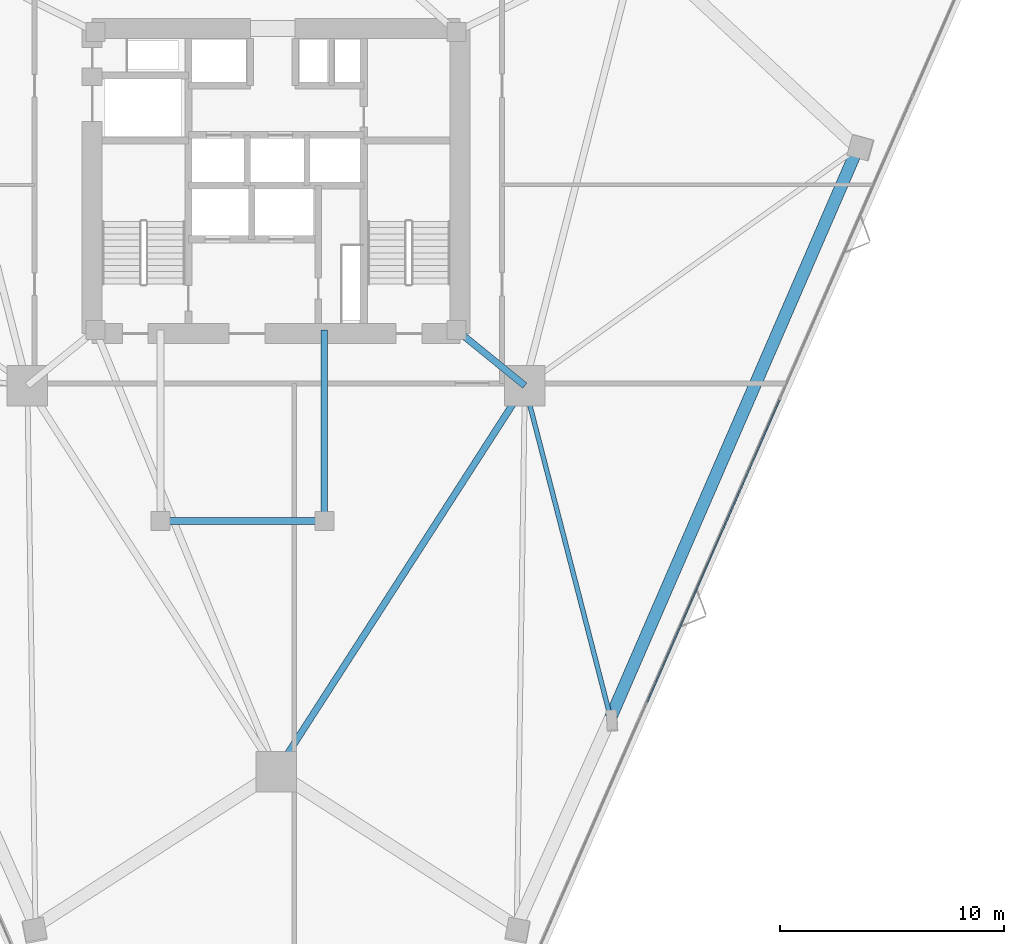
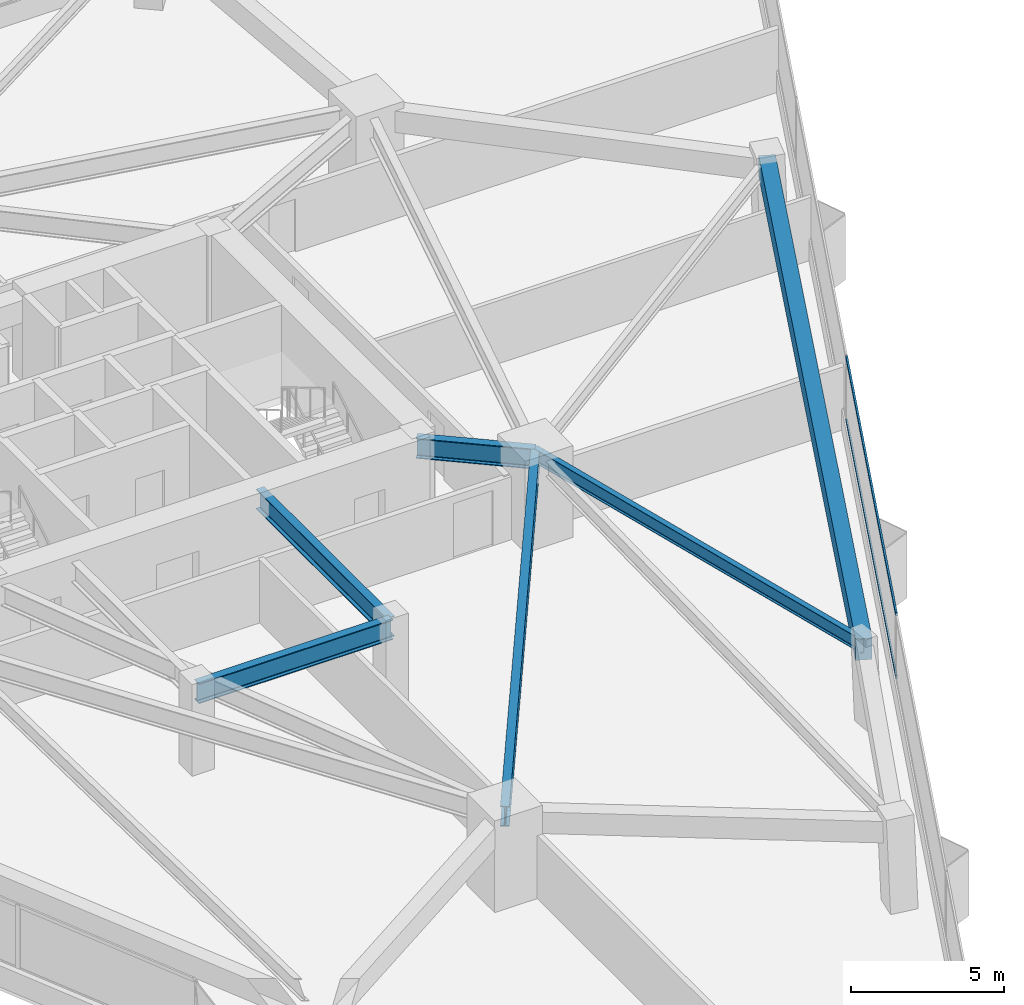
# One storey, part 8 of 20: 6 beams, 2 members, 1 element without a shape of its own.
"""IFC4 building model written with IfcOpenShell, lengths in metres."""

from ifc_helpers import new_model, si_unit, direction, frame, origin, origin_2d, place, context, subcontext, project, spatial, rectangle, i_section, extrude, material, layer, layer_set, material_profile, profile_set, type_object, element, aggregate, save


model = new_model("IFC4")

# Units and contexts
model_context = context("Model", 3, precision=1e-05, world=origin(), true_north=direction((0.0, 1.0)))
body_context = subcontext(model_context, "Body", "Model", "MODEL_VIEW")
ifc_project = project(units=[si_unit("LENGTHUNIT", "METRE"), si_unit("AREAUNIT", "SQUARE_METRE"), si_unit("VOLUMEUNIT", "CUBIC_METRE"), si_unit("PLANEANGLEUNIT", "RADIAN"), si_unit("MASSUNIT", "GRAM", prefix="KILO")], contexts=[model_context])

# Site, building, storey
site_placement = place(None, origin())
site = spatial("IfcSite", under=ifc_project, at=site_placement, CompositionType="ELEMENT")
building_placement = place(site_placement, origin())
building = spatial("IfcBuilding", under=site, at=building_placement, Name="Talyreon Biosciences Tower", CompositionType="ELEMENT")
storey_placement = place(building_placement, frame((0.0, 0.0, 30.10009765625)))
storey = spatial("IfcBuildingStorey", under=building, at=storey_placement, Name="L07", CompositionType="ELEMENT", Elevation=30.10009765625)

# Curtain wall, members
ifc_material_1 = material(Name="Thermally broken aluminium and low-E glazing", Category="aluminium")
ifc_layer = layer(ifc_material_1, 0.195068359375)
ifc_layer_set = layer_set([ifc_layer], Name="Thermally broken aluminium and low-E glazing")
curtain_wall_type = type_object("IfcCurtainWallType", Name="CurtainWall_Zone1WetLab", PredefinedType="NOTDEFINED", material=ifc_layer_set)
curtain_wall_placement = place(storey_placement, origin())
curtain_wall = element("IfcCurtainWall", 1, at=curtain_wall_placement, inside=storey, type_object=curtain_wall_type, Name="L07 Unitised Curtain Wall FCW-L07-08", PredefinedType="NOTDEFINED")
ifc_material_2 = material(Name="Anodised thermally broken aluminium", Category="aluminium")
ifc_material_profile_1 = material_profile(ifc_material_2, rectangle(XDim=0.06494140625, YDim=0.139892578125, at=origin_2d()), Name="ALUM TRANSOM 65x140")
ifc_profile_set_1 = profile_set([ifc_material_profile_1], Name="Anodised thermally broken aluminium")
member_type = type_object("IfcMemberType", Name="CWTransom_65x140", PredefinedType="USERDEFINED", material=ifc_profile_set_1)
member_1_placement = place(storey_placement, frame((88.443359375, 58.238525390625, 0.84228515625), z_axis=(-0.401345318485, -0.915926817672, 0.0), x_axis=(0.915926817672, -0.401345318485, 0.0)))
member_1 = element("IfcMember", 2, at=member_1_placement, type_object=member_type, Name="CW2 transom 3.1", ObjectType="TRANSOM", PredefinedType="USERDEFINED", context=body_context, shape_type="SweptSolid", body=[
    extrude(rectangle(XDim=0.06494140625, YDim=0.139892578125, at=origin_2d()), origin(), (0.0, 0.0, 1.0), 14.691162109375),
])
member_2_placement = place(storey_placement, frame((88.443359375, 58.238525390625, 3.34228515625), z_axis=(-0.401345318485, -0.915926817672, 0.0), x_axis=(0.915926817672, -0.401345318485, 0.0)))
member_2 = element("IfcMember", 3, at=member_2_placement, type_object=member_type, Name="CW2 transom 3.2", ObjectType="TRANSOM", PredefinedType="USERDEFINED", context=body_context, shape_type="SweptSolid", body=[
    extrude(rectangle(XDim=0.06494140625, YDim=0.139892578125, at=origin_2d()), origin(), (0.0, 0.0, 1.0), 14.691162109375),
])
aggregate(curtain_wall, [member_1, member_2])

# Beams
ifc_material_3 = material(Name="Precast concrete C45/55", Category="concrete")
ifc_material_profile_2 = material_profile(ifc_material_3, rectangle(XDim=0.550048828125, YDim=0.85009765625, at=origin_2d()), Name="RCB 550x850")
ifc_profile_set_2 = profile_set([ifc_material_profile_2], Name="Precast concrete C45/55")
beam_type_1 = type_object("IfcBeamType", Name="ExpressedSpandrel_550x850", PredefinedType="SPANDREL", material=ifc_profile_set_2)
beam_1_placement = place(storey_placement, frame((80.910400390625, 44.069580078125, 2.949951171875), z_axis=(0.397953378086, 0.917405640308, 0.0), x_axis=(-0.917405640308, 0.397953378086, 0.0)))
element("IfcBeam", 4, at=beam_1_placement, inside=storey, type_object=beam_type_1, Name="L07 Expressed Horizontal Concrete Spandrel 03", PredefinedType="SPANDREL", context=body_context, shape_type="SweptSolid", body=[
    extrude(rectangle(XDim=0.550048828125, YDim=0.85009765625, at=origin_2d()), origin(), (0.0, 0.0, 1.0), 27.685546875),
])
ifc_material_4 = material(Name="Steel SM355", Category="steel")
ifc_material_profile_3 = material_profile(ifc_material_4, i_section(OverallWidth=0.300048828125, OverallDepth=0.800048828125, WebThickness=0.017578125, FlangeThickness=0.032958984375, FilletRadius=0.030029296875, at=origin_2d()), Name="HE800B")
ifc_profile_set_3 = profile_set([ifc_material_profile_3], Name="Steel SM355")
beam_type_2 = type_object("IfcBeamType", Name="SteelGirder_HE800B", PredefinedType="BEAM", material=ifc_profile_set_3)
beam_2_placement = place(storey_placement, frame((66.0, 41.6669921875, 2.974853515625), z_axis=(0.541463723609, 0.840724114092, 0.0), x_axis=(-0.840724114092, 0.541463723609, 0.0)))
element("IfcBeam", 5, at=beam_2_placement, inside=storey, type_object=beam_type_2, Name="L07 Mega-Ring Girder 1", PredefinedType="BEAM", context=body_context, shape_type="SweptSolid", body=[
    extrude(i_section(OverallWidth=0.300048828125, OverallDepth=0.800048828125, WebThickness=0.017578125, FlangeThickness=0.032958984375, FilletRadius=0.030029296875, at=origin_2d()), origin(), (0.0, 0.0, 1.0), 20.474365234375),
])
beam_3_placement = place(storey_placement, frame((74.050048828125, 61.35009765625, 2.974853515625), z_axis=(0.775755154013, -0.631034025249, 0.0), x_axis=(0.631034025249, 0.775755154013, 0.0)))
element("IfcBeam", 6, at=beam_3_placement, inside=storey, type_object=beam_type_2, Name="L07 Radial Primary Girder 2", PredefinedType="BEAM", context=body_context, shape_type="SweptSolid", body=[
    extrude(i_section(OverallWidth=0.300048828125, OverallDepth=0.800048828125, WebThickness=0.017578125, FlangeThickness=0.032958984375, FilletRadius=0.030029296875, at=origin_2d()), origin(), (0.0, 0.0, 1.0), 3.913818359375),
])
beam_4_placement = place(storey_placement, frame((60.85009765625, 52.840087890625, 2.974853515625), z_axis=(1.0, 0.0, 0.0), x_axis=(0.0, 1.0, 0.0)))
element("IfcBeam", 7, at=beam_4_placement, inside=storey, type_object=beam_type_2, Name="L07 Crown Shaft Spine Girder S", PredefinedType="BEAM", context=body_context, shape_type="SweptSolid", body=[
    extrude(i_section(OverallWidth=0.300048828125, OverallDepth=0.800048828125, WebThickness=0.017578125, FlangeThickness=0.032958984375, FilletRadius=0.030029296875, at=origin_2d()), origin(), (0.0, 0.0, 1.0), 7.2998046875),
])
beam_5_placement = place(storey_placement, frame((68.14990234375, 52.840087890625, 2.974853515625), z_axis=(0.0, 1.0, 0.0), x_axis=(-1.0, 0.0, 0.0)))
element("IfcBeam", 8, at=beam_5_placement, inside=storey, type_object=beam_type_2, Name="L07 Crown Shaft Tie Girder E", PredefinedType="BEAM", context=body_context, shape_type="SweptSolid", body=[
    extrude(i_section(OverallWidth=0.300048828125, OverallDepth=0.800048828125, WebThickness=0.017578125, FlangeThickness=0.032958984375, FilletRadius=0.030029296875, at=origin_2d()), origin(), (0.0, 0.0, 1.0), 8.510009765625),
])
ifc_material_profile_4 = material_profile(ifc_material_4, i_section(OverallWidth=0.2099609375, OverallDepth=0.550048828125, WebThickness=0.010986328125, FlangeThickness=0.01708984375, FilletRadius=0.02392578125, at=origin_2d()), Name="IPE550")
ifc_profile_set_4 = profile_set([ifc_material_profile_4], Name="Steel SM355")
beam_type_3 = type_object("IfcBeamType", Name="SteelJoist_IPE550", PredefinedType="JOIST", material=ifc_profile_set_4)
beam_6_placement = place(storey_placement, frame((77.086181640625, 58.88037109375, 3.099853515625), z_axis=(0.25000545181, -0.968244428884, 0.0), x_axis=(0.968244428884, 0.25000545181, 0.0)))
element("IfcBeam", 9, at=beam_6_placement, inside=storey, type_object=beam_type_3, Name="L07 Radial Composite Floor Joist PL-SE", PredefinedType="JOIST", context=body_context, shape_type="SweptSolid", body=[
    extrude(i_section(OverallWidth=0.2099609375, OverallDepth=0.550048828125, WebThickness=0.010986328125, FlangeThickness=0.01708984375, FilletRadius=0.02392578125, at=origin_2d()), origin(), (0.0, 0.0, 1.0), 15.296630859375),
])

save(model, "model.ifc")
